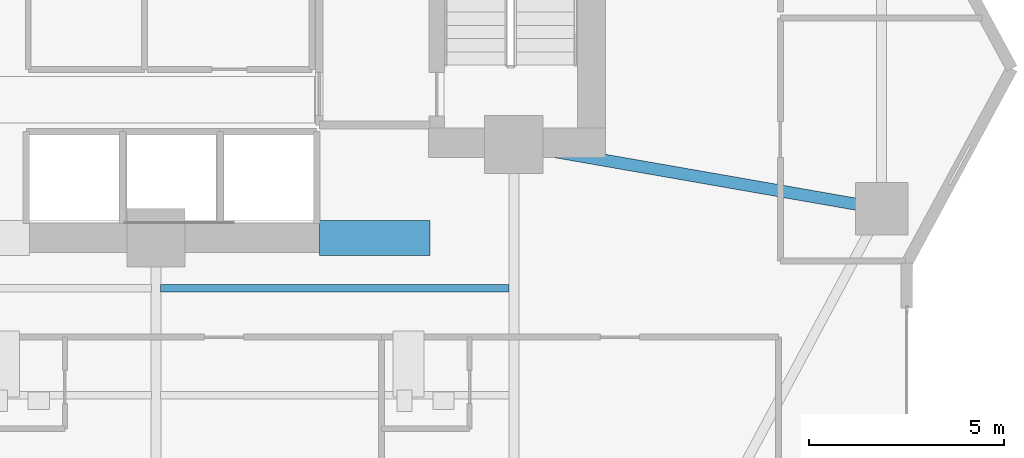
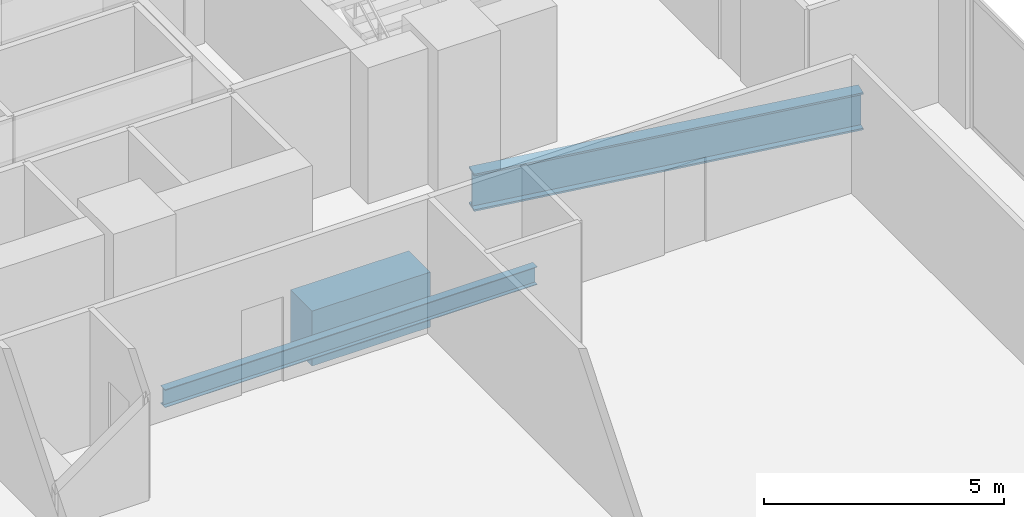
# One storey, part 12 of 30: 3 beams.
"""IFC4 building model written with IfcOpenShell, lengths in metres."""

from ifc_helpers import new_model, si_unit, direction, frame, origin, origin_2d, place, context, subcontext, project, spatial, rectangle, i_section, extrude, material, material_profile, profile_set, type_object, element, save


model = new_model("IFC4")

# Units and contexts
model_context = context("Model", 3, precision=1e-05, world=origin(), true_north=direction((0.0, 1.0)))
body_context = subcontext(model_context, "Body", "Model", "MODEL_VIEW")
ifc_project = project(units=[si_unit("LENGTHUNIT", "METRE"), si_unit("AREAUNIT", "SQUARE_METRE"), si_unit("VOLUMEUNIT", "CUBIC_METRE"), si_unit("PLANEANGLEUNIT", "RADIAN"), si_unit("MASSUNIT", "GRAM", prefix="KILO")], contexts=[model_context])

# Site, building, storey
site_placement = place(None, origin())
site = spatial("IfcSite", under=ifc_project, at=site_placement, CompositionType="ELEMENT")
building_placement = place(site_placement, origin())
building = spatial("IfcBuilding", under=site, at=building_placement, Name="Zuhayl Quay Hotel", CompositionType="ELEMENT")
storey_placement = place(building_placement, frame((0.0, 0.0, 135.800048828125)))
storey = spatial("IfcBuildingStorey", under=building, at=storey_placement, Name="L34", CompositionType="ELEMENT", Elevation=135.800048828125)

# Beams
ifc_material_1 = material(Name="Concrete C60/75", Category="concrete")
ifc_material_profile_1 = material_profile(ifc_material_1, rectangle(XDim=0.89990234375, YDim=1.39990234375, at=origin_2d()), Name="RC900X1400")
ifc_profile_set_1 = profile_set([ifc_material_profile_1], Name="Concrete C60/75")
beam_type_1 = type_object("IfcBeamType", Name="BM_CB1_RC900", PredefinedType="T_BEAM", material=ifc_profile_set_1)
beam_1_placement = place(storey_placement, frame((8.800048828125, 2.14990234375, -0.920166015625), z_axis=(1.0, 0.0, 0.0), x_axis=(0.0, 1.0, 0.0)))
element("IfcBeam", 1, at=beam_1_placement, inside=storey, type_object=beam_type_1, Name="L34 Core Coupling Beam SE", PredefinedType="T_BEAM", context=body_context, shape_type="SweptSolid", body=[
    extrude(rectangle(XDim=0.89990234375, YDim=1.39990234375, at=origin_2d()), origin(), (0.0, 0.0, 1.0), 2.849853515625),
])
ifc_material_2 = material(Name="Steel ASTM A992 Grade 50", Category="steel")
ifc_material_profile_2 = material_profile(ifc_material_2, i_section(OverallWidth=0.18994140625, OverallDepth=0.45703125, WebThickness=0.009033203125, FlangeThickness=0.014404296875, at=origin_2d()), Name="W18X50")
ifc_profile_set_2 = profile_set([ifc_material_profile_2], Name="Steel ASTM A992 Grade 50")
beam_type_2 = type_object("IfcBeamType", Name="BM_J2_W18X50", PredefinedType="JOIST", material=ifc_profile_set_2)
beam_2_placement = place(storey_placement, frame((4.718994140625, 0.85009765625, -0.448486328125), z_axis=(1.0, 0.0, 0.0), x_axis=(0.0, 1.0, 0.0)))
element("IfcBeam", 2, at=beam_2_placement, inside=storey, type_object=beam_type_2, Name="L34 Floor Beam FJ_L34_9_3", PredefinedType="JOIST", context=body_context, shape_type="SweptSolid", body=[
    extrude(i_section(OverallWidth=0.18994140625, OverallDepth=0.45703125, WebThickness=0.009033203125, FlangeThickness=0.014404296875, at=origin_2d()), origin(), (0.0, 0.0, 1.0), 8.9619140625),
])
ifc_material_profile_3 = material_profile(ifc_material_2, i_section(OverallWidth=0.31005859375, OverallDepth=0.949951171875, WebThickness=0.0244140625, FlangeThickness=0.0439453125, at=origin_2d()), Name="W36X256")
ifc_profile_set_3 = profile_set([ifc_material_profile_3], Name="Steel ASTM A992 Grade 50")
beam_type_3 = type_object("IfcBeamType", Name="BM_PG1_W36X256", PredefinedType="BEAM", material=ifc_profile_set_3)
beam_3_placement = place(storey_placement, frame((14.243408203125, 4.47265625, -0.695068359375), z_axis=(0.985097302632, -0.171997977741, 0.0), x_axis=(0.171997977741, 0.985097302632, 0.0)))
element("IfcBeam", 3, at=beam_3_placement, inside=storey, type_object=beam_type_3, Name="L34 Floor Beam FG_E_L34_1", PredefinedType="BEAM", context=body_context, shape_type="SweptSolid", body=[
    extrude(i_section(OverallWidth=0.31005859375, OverallDepth=0.949951171875, WebThickness=0.0244140625, FlangeThickness=0.0439453125, at=origin_2d()), origin(), (0.0, 0.0, 1.0), 8.64306640625),
])

save(model, "model.ifc")
